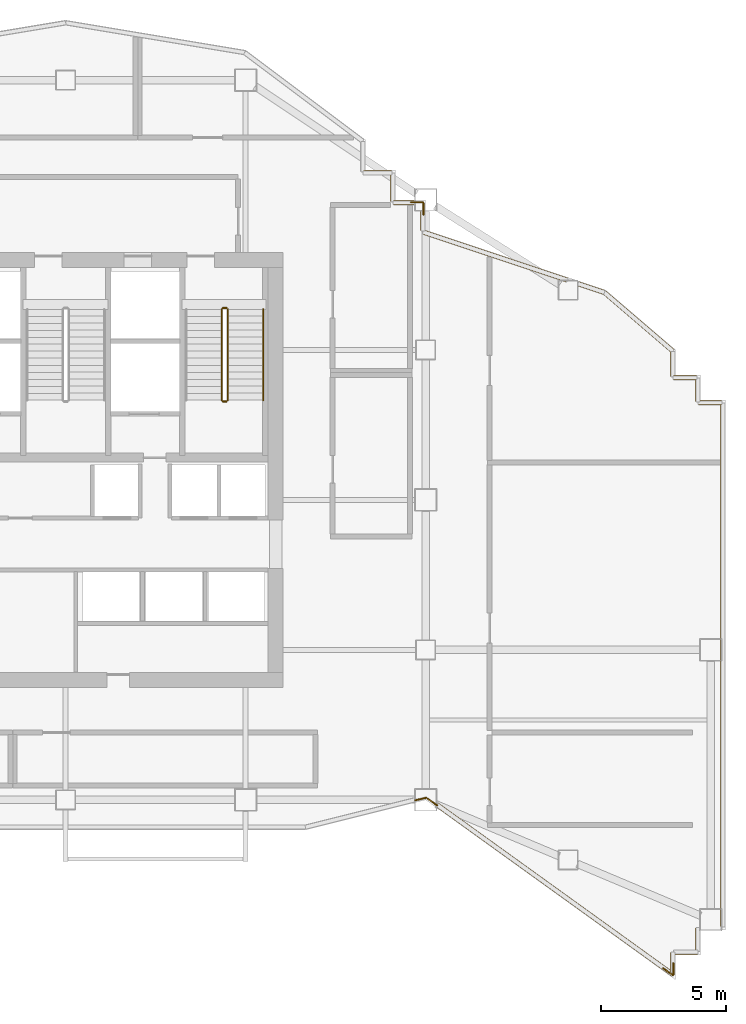
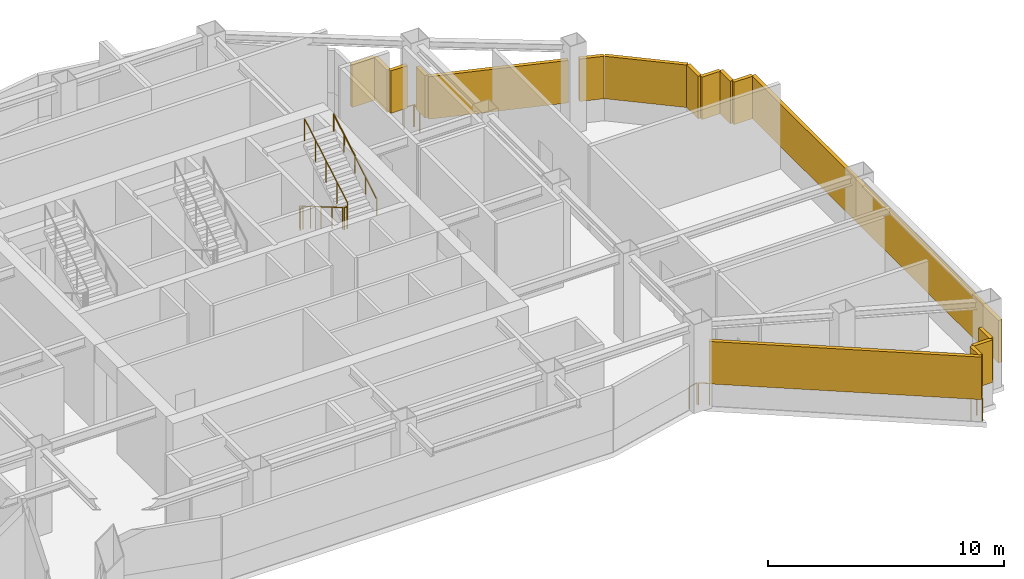
# One storey, part 8 of 9: 16 shading devices, 11 railings.
"""IFC4 building model written with IfcOpenShell, lengths in metres."""

from ifc_helpers import new_model, si_unit, direction, frame, origin, origin_2d, place, context, subcontext, project, spatial, rectangle, circle, extrude, material, type_object, element, save


model = new_model("IFC4")

# Units and contexts
model_context = context("Model", 3, precision=1e-05, world=origin(), true_north=direction((0.0, 1.0)))
body_context = subcontext(model_context, "Body", "Model", "MODEL_VIEW")
ifc_project = project(units=[si_unit("LENGTHUNIT", "METRE"), si_unit("AREAUNIT", "SQUARE_METRE"), si_unit("VOLUMEUNIT", "CUBIC_METRE"), si_unit("PLANEANGLEUNIT", "RADIAN"), si_unit("MASSUNIT", "GRAM", prefix="KILO")], contexts=[model_context])

# Site, building, storey
site_placement = place(None, origin())
site = spatial("IfcSite", under=ifc_project, at=site_placement, CompositionType="ELEMENT")
building_placement = place(site_placement, origin())
building = spatial("IfcBuilding", under=site, at=building_placement, Name="Haolan Belvedere Tower", CompositionType="ELEMENT")
storey_placement = place(building_placement, frame((0.0, 0.0, 207.0)))
storey = spatial("IfcBuildingStorey", under=building, at=storey_placement, Name="L52", CompositionType="ELEMENT", Elevation=207.0)

# Railings
ifc_material_1 = material(Name="Galvanised powder-coated steel guardrail", Category="steel")
railing_type_1 = type_object("IfcRailingType", Name="RL-REF-GRD-1150", PredefinedType="GUARDRAIL", material=ifc_material_1)
railing_1_placement = place(storey_placement, frame((53.25830078125, 21.380859375, 0.0)))
element("IfcRailing", 1, at=railing_1_placement, inside=storey, type_object=railing_type_1, Name="L52 refuge corner safety guardrail 2A", PredefinedType="GUARDRAIL", context=body_context, shape_type="SweptSolid", body=[
    extrude(circle(Radius=0.02392578125, at=origin_2d()), frame((0.0, 0.0, 1.1259765625), z_axis=(-0.811445651793, 0.584427886215, 0.0), x_axis=(-0.584427886215, -0.811445651793, 0.0)), (0.0, 0.0, 1.0), 0.469970703125),
    extrude(circle(Radius=0.02099609375, at=origin_2d()), origin(), (0.0, 0.0, 1.0), 1.101806640625),
    extrude(circle(Radius=0.02099609375, at=origin_2d()), frame((-0.38134765625, 0.274658203125, 0.0)), (0.0, 0.0, 1.0), 1.101806640625),
])
railing_2_placement = place(storey_placement, frame((52.828125, 21.690673828125, 0.0)))
element("IfcRailing", 2, at=railing_2_placement, inside=storey, type_object=railing_type_1, Name="L52 refuge corner safety guardrail 2B", PredefinedType="GUARDRAIL", context=body_context, shape_type="SweptSolid", body=[
    extrude(circle(Radius=0.02392578125, at=origin_2d()), frame((0.0, 0.0, 1.1259765625), z_axis=(-0.974532291101, -0.224247215372, 0.0), x_axis=(0.224247215372, -0.974532291101, 0.0)), (0.0, 0.0, 1.0), 0.466064453125),
    extrude(circle(Radius=0.02099609375, at=origin_2d()), origin(), (0.0, 0.0, 1.0), 1.101806640625),
    extrude(circle(Radius=0.02099609375, at=origin_2d()), frame((-0.4541015625, -0.1044921875, 0.0)), (0.0, 0.0, 1.0), 1.101806640625),
])
railing_3_placement = place(storey_placement, frame((62.7099609375, 15.07568359375, 0.0)))
element("IfcRailing", 3, at=railing_3_placement, inside=storey, type_object=railing_type_1, Name="L52 refuge corner safety guardrail 3A", PredefinedType="GUARDRAIL", context=body_context, shape_type="SweptSolid", body=[
    extrude(circle(Radius=0.02392578125, at=origin_2d()), frame((0.0, 0.0, 1.1259765625), z_axis=(0.0, -1.0, 0.0), x_axis=(1.0, 0.0, 0.0)), (0.0, 0.0, 1.0), 0.469970703125),
    extrude(circle(Radius=0.02099609375, at=origin_2d()), origin(), (0.0, 0.0, 1.0), 1.101806640625),
    extrude(circle(Radius=0.02099609375, at=origin_2d()), frame((0.0, -0.469970703125, 0.0)), (0.0, 0.0, 1.0), 1.101806640625),
])
railing_4_placement = place(storey_placement, frame((62.685791015625, 14.59326171875, 0.0)))
element("IfcRailing", 4, at=railing_4_placement, inside=storey, type_object=railing_type_1, Name="L52 refuge corner safety guardrail 3B", PredefinedType="GUARDRAIL", context=body_context, shape_type="SweptSolid", body=[
    extrude(circle(Radius=0.02392578125, at=origin_2d()), frame((0.0, 0.0, 1.1259765625), z_axis=(-0.811622975054, 0.584181603925, 0.0), x_axis=(-0.584181603925, -0.811622975054, 0.0)), (0.0, 0.0, 1.0), 0.47021484375),
    extrude(circle(Radius=0.02099609375, at=origin_2d()), origin(), (0.0, 0.0, 1.0), 1.101806640625),
    extrude(circle(Radius=0.02099609375, at=origin_2d()), frame((-0.381591796875, 0.274658203125, 0.0)), (0.0, 0.0, 1.0), 1.101806640625),
])
railing_5_placement = place(storey_placement, frame((52.2099609375, 45.510009765625, 0.0)))
element("IfcRailing", 5, at=railing_5_placement, inside=storey, type_object=railing_type_1, Name="L52 refuge corner safety guardrail 4A", PredefinedType="GUARDRAIL", context=body_context, shape_type="SweptSolid", body=[
    extrude(circle(Radius=0.02392578125, at=origin_2d()), frame((0.0, 0.0, 1.1259765625), z_axis=(1.0, 0.0, 0.0), x_axis=(0.0, 1.0, 0.0)), (0.0, 0.0, 1.0), 0.469970703125),
    extrude(circle(Radius=0.02099609375, at=origin_2d()), origin(), (0.0, 0.0, 1.0), 1.101806640625),
    extrude(circle(Radius=0.02099609375, at=origin_2d()), frame((0.469970703125, 0.0, 0.0)), (0.0, 0.0, 1.0), 1.101806640625),
])
railing_6_placement = place(storey_placement, frame((52.7099609375, 45.47998046875, 0.0)))
element("IfcRailing", 6, at=railing_6_placement, inside=storey, type_object=railing_type_1, Name="L52 refuge corner safety guardrail 4B", PredefinedType="GUARDRAIL", context=body_context, shape_type="SweptSolid", body=[
    extrude(circle(Radius=0.02392578125, at=origin_2d()), frame((0.0, 0.0, 1.1259765625), z_axis=(0.0, -1.0, 0.0), x_axis=(1.0, 0.0, 0.0)), (0.0, 0.0, 1.0), 0.469970703125),
    extrude(circle(Radius=0.02099609375, at=origin_2d()), origin(), (0.0, 0.0, 1.0), 1.101806640625),
    extrude(circle(Radius=0.02099609375, at=origin_2d()), frame((0.0, -0.469970703125, 0.0)), (0.0, 0.0, 1.0), 1.101806640625),
])
ifc_material_2 = material(Name="Brushed stainless steel 304", Category="steel")
railing_type_2 = type_object("IfcRailingType", Name="RL-STAIR-GRD-1150", PredefinedType="GUARDRAIL", material=ifc_material_2)
railing_7_placement = place(storey_placement, frame((44.639892578125, 41.22998046875, 0.164306640625)))
element("IfcRailing", 7, at=railing_7_placement, inside=storey, type_object=railing_type_2, Name="L52 ST2 stair guard 1", PredefinedType="GUARDRAIL", context=body_context, shape_type="SweptSolid", body=[
    extrude(circle(Radius=0.02392578125, at=origin_2d()), frame((0.0, 0.0, 1.1259765625), z_axis=(0.0, -0.862489892076, 0.506074289079), x_axis=(1.0, 0.0, 0.0)), (0.0, 0.0, 1.0), 4.22021484375),
    extrude(circle(Radius=0.02099609375, at=origin_2d()), origin(), (0.0, 0.0, 1.0), 1.101806640625),
    extrude(circle(Radius=0.02099609375, at=origin_2d()), frame((0.0, -0.909912109375, 0.533935546875)), (0.0, 0.0, 1.0), 1.101806640625),
    extrude(circle(Radius=0.02099609375, at=origin_2d()), frame((0.0, -1.81982421875, 1.06787109375)), (0.0, 0.0, 1.0), 1.101806640625),
    extrude(circle(Radius=0.02099609375, at=origin_2d()), frame((0.0, -2.72998046875, 1.601806640625)), (0.0, 0.0, 1.0), 1.101806640625),
    extrude(circle(Radius=0.02099609375, at=origin_2d()), frame((0.0, -3.639892578125, 2.1357421875)), (0.0, 0.0, 1.0), 1.101806640625),
])
railing_8_placement = place(storey_placement, frame((44.68994140625, 37.5400390625, 2.300048828125)))
element("IfcRailing", 8, at=railing_8_placement, inside=storey, type_object=railing_type_2, Name="L52 ST2 stair guard 2", PredefinedType="GUARDRAIL", context=body_context, shape_type="SweptSolid", body=[
    extrude(circle(Radius=0.02392578125, at=origin_2d()), frame((0.0, 0.0, 1.1259765625), z_axis=(1.0, 0.0, 0.0), x_axis=(0.0, 1.0, 0.0)), (0.0, 0.0, 1.0), 0.14013671875),
    extrude(circle(Radius=0.02099609375, at=origin_2d()), origin(), (0.0, 0.0, 1.0), 1.101806640625),
    extrude(circle(Radius=0.02099609375, at=origin_2d()), frame((0.14013671875, 0.0, 0.0)), (0.0, 0.0, 1.0), 1.101806640625),
])
railing_9_placement = place(storey_placement, frame((44.8798828125, 37.590087890625, 2.46435546875)))
element("IfcRailing", 9, at=railing_9_placement, inside=storey, type_object=railing_type_2, Name="L52 ST2 stair guard 3", PredefinedType="GUARDRAIL", context=body_context, shape_type="SweptSolid", body=[
    extrude(circle(Radius=0.02392578125, at=origin_2d()), frame((0.0, 0.0, 1.1259765625), z_axis=(0.0, 0.862489892076, 0.506074289079), x_axis=(-1.0, 0.0, 0.0)), (0.0, 0.0, 1.0), 4.22021484375),
    extrude(circle(Radius=0.02099609375, at=origin_2d()), origin(), (0.0, 0.0, 1.0), 1.101806640625),
    extrude(circle(Radius=0.02099609375, at=origin_2d()), frame((0.0, 0.909912109375, 0.533935546875)), (0.0, 0.0, 1.0), 1.101806640625),
    extrude(circle(Radius=0.02099609375, at=origin_2d()), frame((0.0, 1.81982421875, 1.06787109375)), (0.0, 0.0, 1.0), 1.101806640625),
    extrude(circle(Radius=0.02099609375, at=origin_2d()), frame((0.0, 2.72998046875, 1.601806640625)), (0.0, 0.0, 1.0), 1.101806640625),
    extrude(circle(Radius=0.02099609375, at=origin_2d()), frame((0.0, 3.639892578125, 2.1357421875)), (0.0, 0.0, 1.0), 1.101806640625),
])
railing_10_placement = place(storey_placement, frame((44.68994140625, 41.280029296875, 0.0)))
element("IfcRailing", 10, at=railing_10_placement, inside=storey, type_object=railing_type_2, Name="L52 ST2 stair guard 4", PredefinedType="GUARDRAIL", context=body_context, shape_type="SweptSolid", body=[
    extrude(circle(Radius=0.02392578125, at=origin_2d()), frame((0.0, 0.0, 1.1259765625), z_axis=(1.0, 0.0, 0.0), x_axis=(0.0, 1.0, 0.0)), (0.0, 0.0, 1.0), 0.14013671875),
    extrude(circle(Radius=0.02099609375, at=origin_2d()), origin(), (0.0, 0.0, 1.0), 1.101806640625),
    extrude(circle(Radius=0.02099609375, at=origin_2d()), frame((0.14013671875, 0.0, 0.0)), (0.0, 0.0, 1.0), 1.101806640625),
])
railing_type_3 = type_object("IfcRailingType", Name="RL-STAIR-HND-900", PredefinedType="HANDRAIL", material=ifc_material_2)
railing_11_placement = place(storey_placement, frame((46.300048828125, 37.590087890625, 2.46435546875)))
element("IfcRailing", 11, at=railing_11_placement, inside=storey, type_object=railing_type_3, Name="L52 ST2 stair handrail 2", PredefinedType="HANDRAIL", context=body_context, shape_type="SweptSolid", body=[
    extrude(circle(Radius=0.02392578125, at=origin_2d()), frame((0.0, 0.0, 0.8759765625), z_axis=(0.0, 0.862489892076, 0.506074289079), x_axis=(-1.0, 0.0, 0.0)), (0.0, 0.0, 1.0), 4.22021484375),
    extrude(circle(Radius=0.02099609375, at=origin_2d()), origin(), (0.0, 0.0, 1.0), 0.851806640625),
    extrude(circle(Radius=0.02099609375, at=origin_2d()), frame((0.0, 0.909912109375, 0.533935546875)), (0.0, 0.0, 1.0), 0.851806640625),
    extrude(circle(Radius=0.02099609375, at=origin_2d()), frame((0.0, 1.81982421875, 1.06787109375)), (0.0, 0.0, 1.0), 0.851806640625),
    extrude(circle(Radius=0.02099609375, at=origin_2d()), frame((0.0, 2.72998046875, 1.601806640625)), (0.0, 0.0, 1.0), 0.851806640625),
    extrude(circle(Radius=0.02099609375, at=origin_2d()), frame((0.0, 3.639892578125, 2.1357421875)), (0.0, 0.0, 1.0), 0.851806640625),
])

# Shading devices
ifc_material_3 = material(Name="Anodised champagne-silver aluminium 6063-T6", Category="aluminium")
shading_device_type = type_object("IfcShadingDeviceType", Name="SHD-LOUV-180", PredefinedType="JALOUSIE", material=ifc_material_3)
shading_device_1_placement = place(storey_placement, frame((57.966064453125, 18.01611328125, 1.14990234375), z_axis=(0.0, 0.0, 1.0), x_axis=(0.811533191666, -0.584306322766, 0.0)))
element("IfcShadingDevice", 12, at=shading_device_1_placement, inside=storey, type_object=shading_device_type, Name="L52 refuge storm-proof louvre bank 3.1", PredefinedType="JALOUSIE", context=body_context, shape_type="SweptSolid", body=[
    extrude(rectangle(XDim=11.602294921875, YDim=0.179931640625, at=origin_2d()), origin(), (0.0, 0.0, 1.0), 2.199951171875),
])
shading_device_2_placement = place(storey_placement, frame((62.68994140625, 15.107421875, 1.14990234375), z_axis=(0.0, 0.0, 1.0), x_axis=(0.0, 1.0, 0.0)))
element("IfcShadingDevice", 13, at=shading_device_2_placement, inside=storey, type_object=shading_device_type, Name="L52 refuge storm-proof louvre bank 4.1", PredefinedType="JALOUSIE", context=body_context, shape_type="SweptSolid", body=[
    extrude(rectangle(XDim=0.765380859375, YDim=0.179931640625, at=origin_2d()), origin(), (0.0, 0.0, 1.0), 2.199951171875),
])
for number, where, z_axis, x_axis, name in (
    (14, (63.205078125, 15.510009765625, 1.14990234375), (0.0, 0.0, 1.0), (1.0, 0.0, 0.0), "L52 refuge storm-proof louvre bank 5.1"),
    (15, (63.68994140625, 16.02490234375, 1.14990234375), (0.0, 0.0, 1.0), (0.0, 1.0, 0.0), "L52 refuge storm-proof louvre bank 6.1"),
):
    element("IfcShadingDevice", number, at=place(storey_placement, frame(where, z_axis=z_axis, x_axis=x_axis)), inside=storey, type_object=shading_device_type, Name=name, PredefinedType="JALOUSIE", context=body_context, shape_type="SweptSolid", body=[
        extrude(rectangle(XDim=0.929931640625, YDim=0.179931640625, at=origin_2d()), origin(), (0.0, 0.0, 1.0), 2.199951171875),
    ])
shading_device_3_placement = place(storey_placement, frame((64.68994140625, 27.0, 1.14990234375), z_axis=(0.0, 0.0, 1.0), x_axis=(0.0, 1.0, 0.0)))
element("IfcShadingDevice", 16, at=shading_device_3_placement, inside=storey, type_object=shading_device_type, Name="L52 refuge storm-proof louvre bank 8.1", PredefinedType="JALOUSIE", context=body_context, shape_type="SweptSolid", body=[
    extrude(rectangle(XDim=20.93994140625, YDim=0.179931640625, at=origin_2d()), origin(), (0.0, 0.0, 1.0), 2.199951171875),
])
for number, where, z_axis, x_axis, name in (
    (17, (64.175048828125, 37.489990234375, 1.14990234375), (0.0, 0.0, 1.0), (-1.0, 0.0, 0.0), "L52 refuge storm-proof louvre bank 9.1"),
    (18, (63.68994140625, 38.0048828125, 1.14990234375), (0.0, 0.0, 1.0), (0.0, 1.0, 0.0), "L52 refuge storm-proof louvre bank 10.1"),
    (19, (63.175048828125, 38.489990234375, 1.14990234375), (0.0, 0.0, 1.0), (-1.0, 0.0, 0.0), "L52 refuge storm-proof louvre bank 11.1"),
):
    element("IfcShadingDevice", number, at=place(storey_placement, frame(where, z_axis=z_axis, x_axis=x_axis)), inside=storey, type_object=shading_device_type, Name=name, PredefinedType="JALOUSIE", context=body_context, shape_type="SweptSolid", body=[
        extrude(rectangle(XDim=0.929931640625, YDim=0.179931640625, at=origin_2d()), origin(), (0.0, 0.0, 1.0), 2.199951171875),
    ])
shading_device_4_placement = place(storey_placement, frame((62.68994140625, 39.03466796875, 1.14990234375), z_axis=(0.0, 0.0, 1.0), x_axis=(0.0, 1.0, 0.0)))
element("IfcShadingDevice", 20, at=shading_device_4_placement, inside=storey, type_object=shading_device_type, Name="L52 refuge storm-proof louvre bank 12.1", PredefinedType="JALOUSIE", context=body_context, shape_type="SweptSolid", body=[
    extrude(rectangle(XDim=0.989501953125, YDim=0.179931640625, at=origin_2d()), origin(), (0.0, 0.0, 1.0), 2.199951171875),
])
shading_device_5_placement = place(storey_placement, frame((61.3173828125, 40.725830078125, 1.14990234375), z_axis=(0.0, 0.0, 1.0), x_axis=(-0.759248590567, 0.650800720438, 0.0)))
element("IfcShadingDevice", 21, at=shading_device_5_placement, inside=storey, type_object=shading_device_type, Name="L52 refuge storm-proof louvre bank 13.1", PredefinedType="JALOUSIE", context=body_context, shape_type="SweptSolid", body=[
    extrude(rectangle(XDim=3.57568359375, YDim=0.179931640625, at=origin_2d()), origin(), (0.0, 0.0, 1.0), 2.199951171875),
])
shading_device_6_placement = place(storey_placement, frame((59.41845703125, 42.077880859375, 1.14990234375), z_axis=(0.0, 0.0, 1.0), x_axis=(-0.948694053476, 0.316195497912, 0.0)))
element("IfcShadingDevice", 22, at=shading_device_6_placement, inside=storey, type_object=shading_device_type, Name="L52 refuge storm-proof louvre bank 14.1", PredefinedType="JALOUSIE", context=body_context, shape_type="SweptSolid", body=[
    extrude(rectangle(XDim=1.069580078125, YDim=0.179931640625, at=origin_2d()), origin(), (0.0, 0.0, 1.0), 2.199951171875),
])
shading_device_7_placement = place(storey_placement, frame((55.583251953125, 43.3564453125, 1.14990234375), z_axis=(0.0, 0.0, 1.0), x_axis=(-0.948688534679, 0.316212055698, 0.0)))
element("IfcShadingDevice", 23, at=shading_device_7_placement, inside=storey, type_object=shading_device_type, Name="L52 refuge storm-proof louvre bank 14.2", PredefinedType="JALOUSIE", context=body_context, shape_type="SweptSolid", body=[
    extrude(rectangle(XDim=6.059326171875, YDim=0.179931640625, at=origin_2d()), origin(), (0.0, 0.0, 1.0), 2.199951171875),
])
shading_device_8_placement = place(storey_placement, frame((52.68994140625, 44.75439453125, 1.14990234375), z_axis=(0.0, 0.0, 1.0), x_axis=(0.0, 1.0, 0.0)))
element("IfcShadingDevice", 24, at=shading_device_8_placement, inside=storey, type_object=shading_device_type, Name="L52 refuge storm-proof louvre bank 15.1", PredefinedType="JALOUSIE", context=body_context, shape_type="SweptSolid", body=[
    extrude(rectangle(XDim=0.767333984375, YDim=0.179931640625, at=origin_2d()), origin(), (0.0, 0.0, 1.0), 2.199951171875),
])
shading_device_9_placement = place(storey_placement, frame((51.924072265625, 45.489990234375, 1.14990234375), z_axis=(0.0, 0.0, 1.0), x_axis=(-1.0, 0.0, 0.0)))
element("IfcShadingDevice", 25, at=shading_device_9_placement, inside=storey, type_object=shading_device_type, Name="L52 refuge storm-proof louvre bank 16.1", PredefinedType="JALOUSIE", context=body_context, shape_type="SweptSolid", body=[
    extrude(rectangle(XDim=0.827880859375, YDim=0.179931640625, at=origin_2d()), origin(), (0.0, 0.0, 1.0), 2.199951171875),
])
for number, where, z_axis, x_axis, name in (
    (26, (51.489990234375, 46.10498046875, 1.14990234375), (0.0, 0.0, 1.0), (0.0, 1.0, 0.0), "L52 refuge storm-proof louvre bank 17.1"),
    (27, (50.875, 46.68994140625, 1.14990234375), (0.0, 0.0, 1.0), (-1.0, 0.0, 0.0), "L52 refuge storm-proof louvre bank 18.1"),
):
    element("IfcShadingDevice", number, at=place(storey_placement, frame(where, z_axis=z_axis, x_axis=x_axis)), inside=storey, type_object=shading_device_type, Name=name, PredefinedType="JALOUSIE", context=body_context, shape_type="SweptSolid", body=[
        extrude(rectangle(XDim=1.1298828125, YDim=0.179931640625, at=origin_2d()), origin(), (0.0, 0.0, 1.0), 2.199951171875),
    ])

save(model, "model.ifc")
